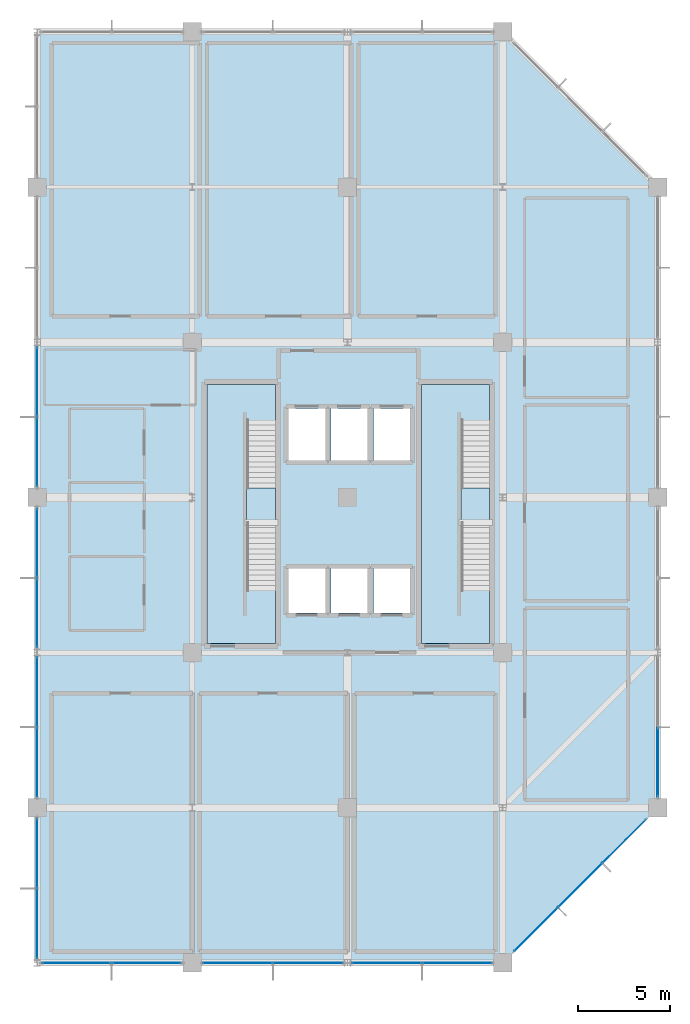
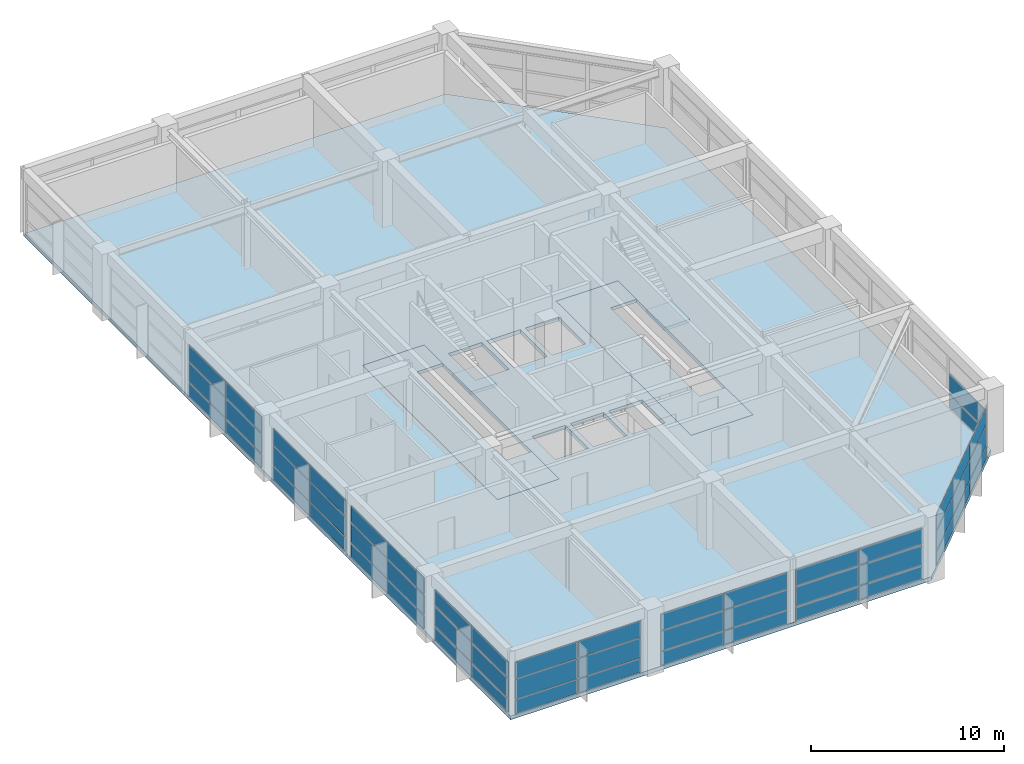
# One storey, part 10 of 15: 53 plates, 5 slabs, 11 elements without a shape of their own.
"""IFC4 building model written with IfcOpenShell, lengths in metres."""

from ifc_helpers import new_model, si_unit, direction, frame, origin, origin_2d, place, context, subcontext, project, spatial, polyline, rectangle, outline, extrude, material, layer, layer_set, type_object, element, aggregate, save


model = new_model("IFC4")

# Units and contexts
model_context = context("Model", 3, precision=1e-05, world=origin(), true_north=direction((0.0, 1.0)))
body_context = subcontext(model_context, "Body", "Model", "MODEL_VIEW")
ifc_project = project(units=[si_unit("LENGTHUNIT", "METRE"), si_unit("AREAUNIT", "SQUARE_METRE"), si_unit("VOLUMEUNIT", "CUBIC_METRE"), si_unit("PLANEANGLEUNIT", "RADIAN"), si_unit("MASSUNIT", "GRAM", prefix="KILO")], contexts=[model_context])

# Site, building, storey
site_placement = place(None, origin())
site = spatial("IfcSite", under=ifc_project, at=site_placement, CompositionType="ELEMENT")
building_placement = place(site_placement, origin())
building = spatial("IfcBuilding", under=site, at=building_placement, Name="Xuanlan Plaza Opera House", CompositionType="ELEMENT")
storey_placement = place(building_placement, frame((0.0, 0.0, 53.10009765625)))
storey = spatial("IfcBuildingStorey", under=building, at=storey_placement, Name="L12", CompositionType="ELEMENT", Elevation=53.10009765625)

# Curtain wall, plates
ifc_material_1 = material(Name="Anodised Aluminium 6063-T6 and Low-E Glass", Category="aluminium")
curtain_wall_type_1 = type_object("IfcCurtainWallType", Name="ENV-CW-CW-02", PredefinedType="USERDEFINED", material=ifc_material_1)
curtain_wall_1_placement = place(storey_placement, origin())
curtain_wall_1 = element("IfcCurtainWall", 1, at=curtain_wall_1_placement, inside=storey, type_object=curtain_wall_type_1, Name="Unitised Curtain Wall L12-004", ObjectType="UNITISED CURTAIN WALL", PredefinedType="USERDEFINED")
ifc_material_2 = material(Name="Laminated Acoustic Double Glazing", Category="glass")
ifc_layer_1 = layer(ifc_material_2, 0.028076171875)
ifc_layer_set_1 = layer_set([ifc_layer_1], Name="Laminated Acoustic Double Glazing")
plate_type_1 = type_object("IfcPlateType", Name="ENV-CWP-01", PredefinedType="CURTAIN_PANEL", material=ifc_layer_set_1)
plate_1_placement = place(storey_placement, frame((153.0126953125, 35.41259765625, 0.06982421875), z_axis=(0.0, 0.0, 1.0), x_axis=(0.707106781187, 0.707106781187, 0.0)))
plate_1 = element("IfcPlate", 2, at=plate_1_placement, type_object=plate_type_1, Name="CW-02 panel 1.1", PredefinedType="CURTAIN_PANEL", context=body_context, shape_type="SweptSolid", body=[
    extrude(rectangle(XDim=3.282470703125, YDim=0.028076171875, at=origin_2d()), origin(), (0.0, 0.0, 1.0), 0.844970703125),
])
plate_2_placement = place(storey_placement, frame((153.0126953125, 35.41259765625, 0.98486328125), z_axis=(0.0, 0.0, 1.0), x_axis=(0.707106781187, 0.707106781187, 0.0)))
plate_2 = element("IfcPlate", 3, at=plate_2_placement, type_object=plate_type_1, Name="CW-02 panel 1.2", PredefinedType="CURTAIN_PANEL", context=body_context, shape_type="SweptSolid", body=[
    extrude(rectangle(XDim=3.282470703125, YDim=0.028076171875, at=origin_2d()), origin(), (0.0, 0.0, 1.0), 1.22998046875),
])
plate_3_placement = place(storey_placement, frame((153.0126953125, 35.41259765625, 2.284912109375), z_axis=(0.0, 0.0, 1.0), x_axis=(0.707106781187, 0.707106781187, 0.0)))
plate_3 = element("IfcPlate", 4, at=plate_3_placement, type_object=plate_type_1, Name="CW-02 panel 1.3", PredefinedType="CURTAIN_PANEL", context=body_context, shape_type="SweptSolid", body=[
    extrude(rectangle(XDim=3.282470703125, YDim=0.028076171875, at=origin_2d()), origin(), (0.0, 0.0, 1.0), 1.02490234375),
])
plate_4_placement = place(storey_placement, frame((155.39990234375, 37.800048828125, 0.06982421875), z_axis=(0.0, 0.0, 1.0), x_axis=(0.707106781187, 0.707106781187, 0.0)))
plate_4 = element("IfcPlate", 5, at=plate_4_placement, type_object=plate_type_1, Name="CW-02 panel 2.1", PredefinedType="CURTAIN_PANEL", context=body_context, shape_type="SweptSolid", body=[
    extrude(rectangle(XDim=3.320068359375, YDim=0.028076171875, at=origin_2d()), origin(), (0.0, 0.0, 1.0), 0.844970703125),
])
plate_5_placement = place(storey_placement, frame((155.39990234375, 37.800048828125, 0.98486328125), z_axis=(0.0, 0.0, 1.0), x_axis=(0.707106781187, 0.707106781187, 0.0)))
plate_5 = element("IfcPlate", 6, at=plate_5_placement, type_object=plate_type_1, Name="CW-02 panel 2.2", PredefinedType="CURTAIN_PANEL", context=body_context, shape_type="SweptSolid", body=[
    extrude(rectangle(XDim=3.320068359375, YDim=0.028076171875, at=origin_2d()), origin(), (0.0, 0.0, 1.0), 1.22998046875),
])
plate_6_placement = place(storey_placement, frame((155.39990234375, 37.800048828125, 2.284912109375), z_axis=(0.0, 0.0, 1.0), x_axis=(0.707106781187, 0.707106781187, 0.0)))
plate_6 = element("IfcPlate", 7, at=plate_6_placement, type_object=plate_type_1, Name="CW-02 panel 2.3", PredefinedType="CURTAIN_PANEL", context=body_context, shape_type="SweptSolid", body=[
    extrude(rectangle(XDim=3.320068359375, YDim=0.028076171875, at=origin_2d()), origin(), (0.0, 0.0, 1.0), 1.02490234375),
])
plate_7_placement = place(storey_placement, frame((157.787353515625, 40.1875, 0.06982421875), z_axis=(0.0, 0.0, 1.0), x_axis=(0.707106781187, 0.707106781187, 0.0)))
plate_7 = element("IfcPlate", 8, at=plate_7_placement, type_object=plate_type_1, Name="CW-02 panel 3.1", PredefinedType="CURTAIN_PANEL", context=body_context, shape_type="SweptSolid", body=[
    extrude(rectangle(XDim=3.282470703125, YDim=0.028076171875, at=origin_2d()), origin(), (0.0, 0.0, 1.0), 0.844970703125),
])
plate_8_placement = place(storey_placement, frame((157.787353515625, 40.1875, 0.98486328125), z_axis=(0.0, 0.0, 1.0), x_axis=(0.707106781187, 0.707106781187, 0.0)))
plate_8 = element("IfcPlate", 9, at=plate_8_placement, type_object=plate_type_1, Name="CW-02 panel 3.2", PredefinedType="CURTAIN_PANEL", context=body_context, shape_type="SweptSolid", body=[
    extrude(rectangle(XDim=3.282470703125, YDim=0.028076171875, at=origin_2d()), origin(), (0.0, 0.0, 1.0), 1.22998046875),
])
plate_9_placement = place(storey_placement, frame((157.787353515625, 40.1875, 2.284912109375), z_axis=(0.0, 0.0, 1.0), x_axis=(0.707106781187, 0.707106781187, 0.0)))
plate_9 = element("IfcPlate", 10, at=plate_9_placement, type_object=plate_type_1, Name="CW-02 panel 3.3", PredefinedType="CURTAIN_PANEL", context=body_context, shape_type="SweptSolid", body=[
    extrude(rectangle(XDim=3.282470703125, YDim=0.028076171875, at=origin_2d()), origin(), (0.0, 0.0, 1.0), 1.02490234375),
])
aggregate(curtain_wall_1, [plate_1, plate_2, plate_3, plate_4, plate_5, plate_6, plate_7, plate_8, plate_9])

curtain_wall_type_2 = type_object("IfcCurtainWallType", Name="ENV-CW-CW-03", PredefinedType="USERDEFINED", material=ifc_material_1)
curtain_wall_2_placement = place(storey_placement, origin())
curtain_wall_2 = element("IfcCurtainWall", 11, at=curtain_wall_2_placement, inside=storey, type_object=curtain_wall_type_2, Name="Unitised Curtain Wall L12-001", ObjectType="UNITISED CURTAIN WALL", PredefinedType="USERDEFINED")
ifc_layer_2 = layer(ifc_material_2, 0.031982421875)
ifc_layer_set_2 = layer_set([ifc_layer_2], Name="Laminated Acoustic Double Glazing")
plate_type_2 = type_object("IfcPlateType", Name="ENV-CWP-02", PredefinedType="CURTAIN_PANEL", material=ifc_layer_set_2)
plate_10_placement = place(storey_placement, frame((128.138671875, 33.60009765625, 0.06494140625), z_axis=(0.0, 0.0, 1.0), x_axis=(1.0, 0.0, 0.0)))
plate_10 = element("IfcPlate", 12, at=plate_10_placement, type_object=plate_type_2, Name="CW-03 panel 1.1", PredefinedType="CURTAIN_PANEL", context=body_context, shape_type="SweptSolid", body=[
    extrude(rectangle(XDim=3.70751953125, YDim=0.031982421875, at=origin_2d()), origin(), (0.0, 0.0, 1.0), 0.8525390625),
])
plate_11_placement = place(storey_placement, frame((128.138671875, 33.60009765625, 0.982421875), z_axis=(0.0, 0.0, 1.0), x_axis=(1.0, 0.0, 0.0)))
plate_11 = element("IfcPlate", 13, at=plate_11_placement, type_object=plate_type_2, Name="CW-03 panel 1.2", PredefinedType="CURTAIN_PANEL", context=body_context, shape_type="SweptSolid", body=[
    extrude(rectangle(XDim=3.70751953125, YDim=0.031982421875, at=origin_2d()), origin(), (0.0, 0.0, 1.0), 1.235107421875),
])
plate_12_placement = place(storey_placement, frame((128.138671875, 33.60009765625, 2.2822265625), z_axis=(0.0, 0.0, 1.0), x_axis=(1.0, 0.0, 0.0)))
plate_12 = element("IfcPlate", 14, at=plate_12_placement, type_object=plate_type_2, Name="CW-03 panel 1.3", PredefinedType="CURTAIN_PANEL", context=body_context, shape_type="SweptSolid", body=[
    extrude(rectangle(XDim=3.70751953125, YDim=0.031982421875, at=origin_2d()), origin(), (0.0, 0.0, 1.0), 1.032470703125),
])
plate_13_placement = place(storey_placement, frame((131.936279296875, 33.60009765625, 0.06494140625), z_axis=(0.0, 0.0, 1.0), x_axis=(1.0, 0.0, 0.0)))
plate_13 = element("IfcPlate", 15, at=plate_13_placement, type_object=plate_type_2, Name="CW-03 panel 2.1", PredefinedType="CURTAIN_PANEL", context=body_context, shape_type="SweptSolid", body=[
    extrude(rectangle(XDim=3.70751953125, YDim=0.031982421875, at=origin_2d()), origin(), (0.0, 0.0, 1.0), 0.8525390625),
])
plate_14_placement = place(storey_placement, frame((131.936279296875, 33.60009765625, 0.982421875), z_axis=(0.0, 0.0, 1.0), x_axis=(1.0, 0.0, 0.0)))
plate_14 = element("IfcPlate", 16, at=plate_14_placement, type_object=plate_type_2, Name="CW-03 panel 2.2", PredefinedType="CURTAIN_PANEL", context=body_context, shape_type="SweptSolid", body=[
    extrude(rectangle(XDim=3.70751953125, YDim=0.031982421875, at=origin_2d()), origin(), (0.0, 0.0, 1.0), 1.235107421875),
])
plate_15_placement = place(storey_placement, frame((131.936279296875, 33.60009765625, 2.2822265625), z_axis=(0.0, 0.0, 1.0), x_axis=(1.0, 0.0, 0.0)))
plate_15 = element("IfcPlate", 17, at=plate_15_placement, type_object=plate_type_2, Name="CW-03 panel 2.3", PredefinedType="CURTAIN_PANEL", context=body_context, shape_type="SweptSolid", body=[
    extrude(rectangle(XDim=3.70751953125, YDim=0.031982421875, at=origin_2d()), origin(), (0.0, 0.0, 1.0), 1.032470703125),
])
aggregate(curtain_wall_2, [plate_10, plate_11, plate_12, plate_13, plate_14, plate_15])

curtain_wall_3_placement = place(storey_placement, origin())
curtain_wall_3 = element("IfcCurtainWall", 18, at=curtain_wall_3_placement, inside=storey, type_object=curtain_wall_type_1, Name="Unitised Curtain Wall L12-016", ObjectType="UNITISED CURTAIN WALL", PredefinedType="USERDEFINED")
plate_16_placement = place(storey_placement, frame((126.0, 56.336181640625, 0.06494140625), z_axis=(0.0, 0.0, 1.0), x_axis=(0.0, -1.0, 0.0)))
plate_16 = element("IfcPlate", 19, at=plate_16_placement, type_object=plate_type_2, Name="CW-02 panel 1.1", PredefinedType="CURTAIN_PANEL", context=body_context, shape_type="SweptSolid", body=[
    extrude(rectangle(XDim=3.70751953125, YDim=0.031982421875, at=origin_2d()), origin(), (0.0, 0.0, 1.0), 0.8525390625),
])
plate_17_placement = place(storey_placement, frame((126.0, 56.336181640625, 0.982421875), z_axis=(0.0, 0.0, 1.0), x_axis=(0.0, -1.0, 0.0)))
plate_17 = element("IfcPlate", 20, at=plate_17_placement, type_object=plate_type_2, Name="CW-02 panel 1.2", PredefinedType="CURTAIN_PANEL", context=body_context, shape_type="SweptSolid", body=[
    extrude(rectangle(XDim=3.70751953125, YDim=0.031982421875, at=origin_2d()), origin(), (0.0, 0.0, 1.0), 1.235107421875),
])
plate_18_placement = place(storey_placement, frame((126.0, 56.336181640625, 2.2822265625), z_axis=(0.0, 0.0, 1.0), x_axis=(0.0, -1.0, 0.0)))
plate_18 = element("IfcPlate", 21, at=plate_18_placement, type_object=plate_type_2, Name="CW-02 panel 1.3", PredefinedType="CURTAIN_PANEL", context=body_context, shape_type="SweptSolid", body=[
    extrude(rectangle(XDim=3.70751953125, YDim=0.031982421875, at=origin_2d()), origin(), (0.0, 0.0, 1.0), 1.032470703125),
])
plate_19_placement = place(storey_placement, frame((126.0, 52.538818359375, 0.06494140625), z_axis=(0.0, 0.0, 1.0), x_axis=(0.0, -1.0, 0.0)))
plate_19 = element("IfcPlate", 22, at=plate_19_placement, type_object=plate_type_2, Name="CW-02 panel 2.1", PredefinedType="CURTAIN_PANEL", context=body_context, shape_type="SweptSolid", body=[
    extrude(rectangle(XDim=3.70751953125, YDim=0.031982421875, at=origin_2d()), origin(), (0.0, 0.0, 1.0), 0.8525390625),
])
plate_20_placement = place(storey_placement, frame((126.0, 52.538818359375, 0.982421875), z_axis=(0.0, 0.0, 1.0), x_axis=(0.0, -1.0, 0.0)))
plate_20 = element("IfcPlate", 23, at=plate_20_placement, type_object=plate_type_2, Name="CW-02 panel 2.2", PredefinedType="CURTAIN_PANEL", context=body_context, shape_type="SweptSolid", body=[
    extrude(rectangle(XDim=3.70751953125, YDim=0.031982421875, at=origin_2d()), origin(), (0.0, 0.0, 1.0), 1.235107421875),
])
plate_21_placement = place(storey_placement, frame((126.0, 52.538818359375, 2.2822265625), z_axis=(0.0, 0.0, 1.0), x_axis=(0.0, -1.0, 0.0)))
plate_21 = element("IfcPlate", 24, at=plate_21_placement, type_object=plate_type_2, Name="CW-02 panel 2.3", PredefinedType="CURTAIN_PANEL", context=body_context, shape_type="SweptSolid", body=[
    extrude(rectangle(XDim=3.70751953125, YDim=0.031982421875, at=origin_2d()), origin(), (0.0, 0.0, 1.0), 1.032470703125),
])
aggregate(curtain_wall_3, [plate_16, plate_17, plate_18, plate_19, plate_20, plate_21])

curtain_wall_type_3 = type_object("IfcCurtainWallType", Name="ENV-CW-CW-01", PredefinedType="USERDEFINED", material=ifc_material_1)
curtain_wall_4_placement = place(storey_placement, origin())
curtain_wall_4 = element("IfcCurtainWall", 25, at=curtain_wall_4_placement, inside=storey, type_object=curtain_wall_type_3, Name="Unitised Curtain Wall L12-003", ObjectType="UNITISED CURTAIN WALL", PredefinedType="USERDEFINED")
ifc_layer_3 = layer(ifc_material_2, 0.035888671875)
ifc_layer_set_3 = layer_set([ifc_layer_3], Name="Laminated Acoustic Double Glazing")
plate_type_3 = type_object("IfcPlateType", Name="ENV-CWP-03", PredefinedType="CURTAIN_PANEL", material=ifc_layer_set_3)
plate_22_placement = place(storey_placement, frame((144.933837890625, 33.60009765625, 0.08984375), z_axis=(0.0, 0.0, 1.0), x_axis=(1.0, 0.0, 0.0)))
plate_22 = element("IfcPlate", 26, at=plate_22_placement, type_object=plate_type_3, Name="CW-01 panel 1.1", PredefinedType="CURTAIN_PANEL", context=body_context, shape_type="SweptSolid", body=[
    extrude(rectangle(XDim=3.737548828125, YDim=0.035888671875, at=origin_2d()), origin(), (0.0, 0.0, 1.0), 0.81494140625),
])
plate_23_placement = place(storey_placement, frame((144.933837890625, 33.60009765625, 0.994873046875), z_axis=(0.0, 0.0, 1.0), x_axis=(1.0, 0.0, 0.0)))
plate_23 = element("IfcPlate", 27, at=plate_23_placement, type_object=plate_type_3, Name="CW-01 panel 1.2", PredefinedType="CURTAIN_PANEL", context=body_context, shape_type="SweptSolid", body=[
    extrude(rectangle(XDim=3.737548828125, YDim=0.035888671875, at=origin_2d()), origin(), (0.0, 0.0, 1.0), 1.2099609375),
])
plate_24_placement = place(storey_placement, frame((144.933837890625, 33.60009765625, 2.294921875), z_axis=(0.0, 0.0, 1.0), x_axis=(1.0, 0.0, 0.0)))
plate_24 = element("IfcPlate", 28, at=plate_24_placement, type_object=plate_type_3, Name="CW-01 panel 1.3", PredefinedType="CURTAIN_PANEL", context=body_context, shape_type="SweptSolid", body=[
    extrude(rectangle(XDim=3.737548828125, YDim=0.035888671875, at=origin_2d()), origin(), (0.0, 0.0, 1.0), 0.9951171875),
])
plate_25_placement = place(storey_placement, frame((148.7412109375, 33.60009765625, 0.08984375), z_axis=(0.0, 0.0, 1.0), x_axis=(1.0, 0.0, 0.0)))
plate_25 = element("IfcPlate", 29, at=plate_25_placement, type_object=plate_type_3, Name="CW-01 panel 2.1", PredefinedType="CURTAIN_PANEL", context=body_context, shape_type="SweptSolid", body=[
    extrude(rectangle(XDim=3.737548828125, YDim=0.035888671875, at=origin_2d()), origin(), (0.0, 0.0, 1.0), 0.81494140625),
])
plate_26_placement = place(storey_placement, frame((148.7412109375, 33.60009765625, 0.994873046875), z_axis=(0.0, 0.0, 1.0), x_axis=(1.0, 0.0, 0.0)))
plate_26 = element("IfcPlate", 30, at=plate_26_placement, type_object=plate_type_3, Name="CW-01 panel 2.2", PredefinedType="CURTAIN_PANEL", context=body_context, shape_type="SweptSolid", body=[
    extrude(rectangle(XDim=3.737548828125, YDim=0.035888671875, at=origin_2d()), origin(), (0.0, 0.0, 1.0), 1.2099609375),
])
plate_27_placement = place(storey_placement, frame((148.7412109375, 33.60009765625, 2.294921875), z_axis=(0.0, 0.0, 1.0), x_axis=(1.0, 0.0, 0.0)))
plate_27 = element("IfcPlate", 31, at=plate_27_placement, type_object=plate_type_3, Name="CW-01 panel 2.3", PredefinedType="CURTAIN_PANEL", context=body_context, shape_type="SweptSolid", body=[
    extrude(rectangle(XDim=3.737548828125, YDim=0.035888671875, at=origin_2d()), origin(), (0.0, 0.0, 1.0), 0.9951171875),
])
aggregate(curtain_wall_4, [plate_22, plate_23, plate_24, plate_25, plate_26, plate_27])

curtain_wall_type_4 = type_object("IfcCurtainWallType", Name="ENV-CW-CW-04", PredefinedType="USERDEFINED", material=ifc_material_1)
curtain_wall_5_placement = place(storey_placement, origin())
curtain_wall_5 = element("IfcCurtainWall", 32, at=curtain_wall_5_placement, inside=storey, type_object=curtain_wall_type_4, Name="Unitised Curtain Wall L12-018", ObjectType="UNITISED CURTAIN WALL", PredefinedType="USERDEFINED")
plate_28_placement = place(storey_placement, frame((126.0, 39.541259765625, 0.08984375), z_axis=(0.0, 0.0, 1.0), x_axis=(0.0, -1.0, 0.0)))
plate_28 = element("IfcPlate", 33, at=plate_28_placement, type_object=plate_type_3, Name="CW-04 panel 1.1", PredefinedType="CURTAIN_PANEL", context=body_context, shape_type="SweptSolid", body=[
    extrude(rectangle(XDim=3.737548828125, YDim=0.035888671875, at=origin_2d()), origin(), (0.0, 0.0, 1.0), 0.81494140625),
])
plate_29_placement = place(storey_placement, frame((126.0, 39.541259765625, 0.994873046875), z_axis=(0.0, 0.0, 1.0), x_axis=(0.0, -1.0, 0.0)))
plate_29 = element("IfcPlate", 34, at=plate_29_placement, type_object=plate_type_3, Name="CW-04 panel 1.2", PredefinedType="CURTAIN_PANEL", context=body_context, shape_type="SweptSolid", body=[
    extrude(rectangle(XDim=3.737548828125, YDim=0.035888671875, at=origin_2d()), origin(), (0.0, 0.0, 1.0), 1.2099609375),
])
plate_30_placement = place(storey_placement, frame((126.0, 39.541259765625, 2.294921875), z_axis=(0.0, 0.0, 1.0), x_axis=(0.0, -1.0, 0.0)))
plate_30 = element("IfcPlate", 35, at=plate_30_placement, type_object=plate_type_3, Name="CW-04 panel 1.3", PredefinedType="CURTAIN_PANEL", context=body_context, shape_type="SweptSolid", body=[
    extrude(rectangle(XDim=3.737548828125, YDim=0.035888671875, at=origin_2d()), origin(), (0.0, 0.0, 1.0), 0.9951171875),
])
plate_31_placement = place(storey_placement, frame((126.0, 35.733642578125, 0.08984375), z_axis=(0.0, 0.0, 1.0), x_axis=(0.0, -1.0, 0.0)))
plate_31 = element("IfcPlate", 36, at=plate_31_placement, type_object=plate_type_3, Name="CW-04 panel 2.1", PredefinedType="CURTAIN_PANEL", context=body_context, shape_type="SweptSolid", body=[
    extrude(rectangle(XDim=3.737548828125, YDim=0.035888671875, at=origin_2d()), origin(), (0.0, 0.0, 1.0), 0.81494140625),
])
plate_32_placement = place(storey_placement, frame((126.0, 35.733642578125, 0.994873046875), z_axis=(0.0, 0.0, 1.0), x_axis=(0.0, -1.0, 0.0)))
plate_32 = element("IfcPlate", 37, at=plate_32_placement, type_object=plate_type_3, Name="CW-04 panel 2.2", PredefinedType="CURTAIN_PANEL", context=body_context, shape_type="SweptSolid", body=[
    extrude(rectangle(XDim=3.737548828125, YDim=0.035888671875, at=origin_2d()), origin(), (0.0, 0.0, 1.0), 1.2099609375),
])
plate_33_placement = place(storey_placement, frame((126.0, 35.733642578125, 2.294921875), z_axis=(0.0, 0.0, 1.0), x_axis=(0.0, -1.0, 0.0)))
plate_33 = element("IfcPlate", 38, at=plate_33_placement, type_object=plate_type_3, Name="CW-04 panel 2.3", PredefinedType="CURTAIN_PANEL", context=body_context, shape_type="SweptSolid", body=[
    extrude(rectangle(XDim=3.737548828125, YDim=0.035888671875, at=origin_2d()), origin(), (0.0, 0.0, 1.0), 0.9951171875),
])
aggregate(curtain_wall_5, [plate_28, plate_29, plate_30, plate_31, plate_32, plate_33])

curtain_wall_6_placement = place(storey_placement, origin())
curtain_wall_6 = element("IfcCurtainWall", 39, at=curtain_wall_6_placement, inside=storey, type_object=curtain_wall_type_2, Name="Unitised Curtain Wall L12-005", ObjectType="UNITISED CURTAIN WALL", PredefinedType="USERDEFINED")
ifc_layer_4 = layer(ifc_material_2, 0.0400390625)
ifc_layer_set_4 = layer_set([ifc_layer_4], Name="Laminated Acoustic Double Glazing")
plate_type_4 = type_object("IfcPlateType", Name="ENV-CWP-04", PredefinedType="CURTAIN_PANEL", material=ifc_layer_set_4)
plate_34_placement = place(storey_placement, frame((159.60009765625, 44.461181640625, 0.079833984375), z_axis=(0.0, 0.0, 1.0), x_axis=(0.0, 1.0, 0.0)))
plate_34 = element("IfcPlate", 40, at=plate_34_placement, type_object=plate_type_4, Name="CW-03 panel 1.1", PredefinedType="CURTAIN_PANEL", context=body_context, shape_type="SweptSolid", body=[
    extrude(rectangle(XDim=3.722412109375, YDim=0.0400390625, at=origin_2d()), origin(), (0.0, 0.0, 1.0), 0.830078125),
])
plate_35_placement = place(storey_placement, frame((159.60009765625, 44.461181640625, 0.98974609375), z_axis=(0.0, 0.0, 1.0), x_axis=(0.0, 1.0, 0.0)))
plate_35 = element("IfcPlate", 41, at=plate_35_placement, type_object=plate_type_4, Name="CW-03 panel 1.2", PredefinedType="CURTAIN_PANEL", context=body_context, shape_type="SweptSolid", body=[
    extrude(rectangle(XDim=3.722412109375, YDim=0.0400390625, at=origin_2d()), origin(), (0.0, 0.0, 1.0), 1.219970703125),
])
aggregate(curtain_wall_6, [plate_34, plate_35])

curtain_wall_7_placement = place(storey_placement, origin())
curtain_wall_7 = element("IfcCurtainWall", 42, at=curtain_wall_7_placement, inside=storey, type_object=curtain_wall_type_3, Name="Unitised Curtain Wall L12-015", ObjectType="UNITISED CURTAIN WALL", PredefinedType="USERDEFINED")
plate_36_placement = place(storey_placement, frame((126.0, 65.063720703125, 0.079833984375), z_axis=(0.0, 0.0, 1.0), x_axis=(0.0, -1.0, 0.0)))
plate_36 = element("IfcPlate", 43, at=plate_36_placement, type_object=plate_type_4, Name="CW-01 panel 1.1", PredefinedType="CURTAIN_PANEL", context=body_context, shape_type="SweptSolid", body=[
    extrude(rectangle(XDim=3.722412109375, YDim=0.0400390625, at=origin_2d()), origin(), (0.0, 0.0, 1.0), 0.830078125),
])
plate_37_placement = place(storey_placement, frame((126.0, 65.063720703125, 0.98974609375), z_axis=(0.0, 0.0, 1.0), x_axis=(0.0, -1.0, 0.0)))
plate_37 = element("IfcPlate", 44, at=plate_37_placement, type_object=plate_type_4, Name="CW-01 panel 1.2", PredefinedType="CURTAIN_PANEL", context=body_context, shape_type="SweptSolid", body=[
    extrude(rectangle(XDim=3.722412109375, YDim=0.0400390625, at=origin_2d()), origin(), (0.0, 0.0, 1.0), 1.219970703125),
])
plate_38_placement = place(storey_placement, frame((126.0, 65.063720703125, 2.2900390625), z_axis=(0.0, 0.0, 1.0), x_axis=(0.0, -1.0, 0.0)))
plate_38 = element("IfcPlate", 45, at=plate_38_placement, type_object=plate_type_4, Name="CW-01 panel 1.3", PredefinedType="CURTAIN_PANEL", context=body_context, shape_type="SweptSolid", body=[
    extrude(rectangle(XDim=3.722412109375, YDim=0.0400390625, at=origin_2d()), origin(), (0.0, 0.0, 1.0), 1.010009765625),
])
plate_39_placement = place(storey_placement, frame((126.0, 61.26123046875, 0.079833984375), z_axis=(0.0, 0.0, 1.0), x_axis=(0.0, -1.0, 0.0)))
plate_39 = element("IfcPlate", 46, at=plate_39_placement, type_object=plate_type_4, Name="CW-01 panel 2.1", PredefinedType="CURTAIN_PANEL", context=body_context, shape_type="SweptSolid", body=[
    extrude(rectangle(XDim=3.722412109375, YDim=0.0400390625, at=origin_2d()), origin(), (0.0, 0.0, 1.0), 0.830078125),
])
plate_40_placement = place(storey_placement, frame((126.0, 61.26123046875, 0.98974609375), z_axis=(0.0, 0.0, 1.0), x_axis=(0.0, -1.0, 0.0)))
plate_40 = element("IfcPlate", 47, at=plate_40_placement, type_object=plate_type_4, Name="CW-01 panel 2.2", PredefinedType="CURTAIN_PANEL", context=body_context, shape_type="SweptSolid", body=[
    extrude(rectangle(XDim=3.722412109375, YDim=0.0400390625, at=origin_2d()), origin(), (0.0, 0.0, 1.0), 1.219970703125),
])
plate_41_placement = place(storey_placement, frame((126.0, 61.26123046875, 2.2900390625), z_axis=(0.0, 0.0, 1.0), x_axis=(0.0, -1.0, 0.0)))
plate_41 = element("IfcPlate", 48, at=plate_41_placement, type_object=plate_type_4, Name="CW-01 panel 2.3", PredefinedType="CURTAIN_PANEL", context=body_context, shape_type="SweptSolid", body=[
    extrude(rectangle(XDim=3.722412109375, YDim=0.0400390625, at=origin_2d()), origin(), (0.0, 0.0, 1.0), 1.010009765625),
])
aggregate(curtain_wall_7, [plate_36, plate_37, plate_38, plate_39, plate_40, plate_41])

curtain_wall_8_placement = place(storey_placement, origin())
curtain_wall_8 = element("IfcCurtainWall", 49, at=curtain_wall_8_placement, inside=storey, type_object=curtain_wall_type_4, Name="Unitised Curtain Wall L12-002", ObjectType="UNITISED CURTAIN WALL", PredefinedType="USERDEFINED")
ifc_layer_5 = layer(ifc_material_2, 0.0439453125)
ifc_layer_set_5 = layer_set([ifc_layer_5], Name="Laminated Acoustic Double Glazing")
plate_type_5 = type_object("IfcPlateType", Name="ENV-CWP-05", PredefinedType="CURTAIN_PANEL", material=ifc_layer_set_5)
plate_42_placement = place(storey_placement, frame((136.857421875, 33.60009765625, 0.074951171875), z_axis=(0.0, 0.0, 1.0), x_axis=(1.0, 0.0, 0.0)))
plate_42 = element("IfcPlate", 50, at=plate_42_placement, type_object=plate_type_5, Name="CW-04 panel 1.1", PredefinedType="CURTAIN_PANEL", context=body_context, shape_type="SweptSolid", body=[
    extrude(rectangle(XDim=3.7451171875, YDim=0.0439453125, at=origin_2d()), origin(), (0.0, 0.0, 1.0), 0.83740234375),
])
plate_43_placement = place(storey_placement, frame((136.857421875, 33.60009765625, 0.9873046875), z_axis=(0.0, 0.0, 1.0), x_axis=(1.0, 0.0, 0.0)))
plate_43 = element("IfcPlate", 51, at=plate_43_placement, type_object=plate_type_5, Name="CW-04 panel 1.2", PredefinedType="CURTAIN_PANEL", context=body_context, shape_type="SweptSolid", body=[
    extrude(rectangle(XDim=3.7451171875, YDim=0.0439453125, at=origin_2d()), origin(), (0.0, 0.0, 1.0), 1.22509765625),
])
plate_44_placement = place(storey_placement, frame((136.857421875, 33.60009765625, 2.287353515625), z_axis=(0.0, 0.0, 1.0), x_axis=(1.0, 0.0, 0.0)))
plate_44 = element("IfcPlate", 52, at=plate_44_placement, type_object=plate_type_5, Name="CW-04 panel 1.3", PredefinedType="CURTAIN_PANEL", context=body_context, shape_type="SweptSolid", body=[
    extrude(rectangle(XDim=3.7451171875, YDim=0.0439453125, at=origin_2d()), origin(), (0.0, 0.0, 1.0), 1.017578125),
])
plate_45_placement = place(storey_placement, frame((140.66748046875, 33.60009765625, 0.074951171875), z_axis=(0.0, 0.0, 1.0), x_axis=(1.0, 0.0, 0.0)))
plate_45 = element("IfcPlate", 53, at=plate_45_placement, type_object=plate_type_5, Name="CW-04 panel 2.1", PredefinedType="CURTAIN_PANEL", context=body_context, shape_type="SweptSolid", body=[
    extrude(rectangle(XDim=3.7451171875, YDim=0.0439453125, at=origin_2d()), origin(), (0.0, 0.0, 1.0), 0.83740234375),
])
plate_46_placement = place(storey_placement, frame((140.66748046875, 33.60009765625, 0.9873046875), z_axis=(0.0, 0.0, 1.0), x_axis=(1.0, 0.0, 0.0)))
plate_46 = element("IfcPlate", 54, at=plate_46_placement, type_object=plate_type_5, Name="CW-04 panel 2.2", PredefinedType="CURTAIN_PANEL", context=body_context, shape_type="SweptSolid", body=[
    extrude(rectangle(XDim=3.7451171875, YDim=0.0439453125, at=origin_2d()), origin(), (0.0, 0.0, 1.0), 1.22509765625),
])
plate_47_placement = place(storey_placement, frame((140.66748046875, 33.60009765625, 2.287353515625), z_axis=(0.0, 0.0, 1.0), x_axis=(1.0, 0.0, 0.0)))
plate_47 = element("IfcPlate", 55, at=plate_47_placement, type_object=plate_type_5, Name="CW-04 panel 2.3", PredefinedType="CURTAIN_PANEL", context=body_context, shape_type="SweptSolid", body=[
    extrude(rectangle(XDim=3.7451171875, YDim=0.0439453125, at=origin_2d()), origin(), (0.0, 0.0, 1.0), 1.017578125),
])
aggregate(curtain_wall_8, [plate_42, plate_43, plate_44, plate_45, plate_46, plate_47])

curtain_wall_9_placement = place(storey_placement, origin())
curtain_wall_9 = element("IfcCurtainWall", 56, at=curtain_wall_9_placement, inside=storey, type_object=curtain_wall_type_2, Name="Unitised Curtain Wall L12-017", ObjectType="UNITISED CURTAIN WALL", PredefinedType="USERDEFINED")
plate_48_placement = place(storey_placement, frame((126.0, 48.267578125, 0.074951171875), z_axis=(0.0, 0.0, 1.0), x_axis=(0.0, -1.0, 0.0)))
plate_48 = element("IfcPlate", 57, at=plate_48_placement, type_object=plate_type_5, Name="CW-03 panel 1.1", PredefinedType="CURTAIN_PANEL", context=body_context, shape_type="SweptSolid", body=[
    extrude(rectangle(XDim=3.7451171875, YDim=0.0439453125, at=origin_2d()), origin(), (0.0, 0.0, 1.0), 0.83740234375),
])
plate_49_placement = place(storey_placement, frame((126.0, 48.267578125, 0.9873046875), z_axis=(0.0, 0.0, 1.0), x_axis=(0.0, -1.0, 0.0)))
plate_49 = element("IfcPlate", 58, at=plate_49_placement, type_object=plate_type_5, Name="CW-03 panel 1.2", PredefinedType="CURTAIN_PANEL", context=body_context, shape_type="SweptSolid", body=[
    extrude(rectangle(XDim=3.7451171875, YDim=0.0439453125, at=origin_2d()), origin(), (0.0, 0.0, 1.0), 1.22509765625),
])
plate_50_placement = place(storey_placement, frame((126.0, 48.267578125, 2.287353515625), z_axis=(0.0, 0.0, 1.0), x_axis=(0.0, -1.0, 0.0)))
plate_50 = element("IfcPlate", 59, at=plate_50_placement, type_object=plate_type_5, Name="CW-03 panel 1.3", PredefinedType="CURTAIN_PANEL", context=body_context, shape_type="SweptSolid", body=[
    extrude(rectangle(XDim=3.7451171875, YDim=0.0439453125, at=origin_2d()), origin(), (0.0, 0.0, 1.0), 1.017578125),
])
plate_51_placement = place(storey_placement, frame((126.0, 44.45751953125, 0.074951171875), z_axis=(0.0, 0.0, 1.0), x_axis=(0.0, -1.0, 0.0)))
plate_51 = element("IfcPlate", 60, at=plate_51_placement, type_object=plate_type_5, Name="CW-03 panel 2.1", PredefinedType="CURTAIN_PANEL", context=body_context, shape_type="SweptSolid", body=[
    extrude(rectangle(XDim=3.7451171875, YDim=0.0439453125, at=origin_2d()), origin(), (0.0, 0.0, 1.0), 0.83740234375),
])
plate_52_placement = place(storey_placement, frame((126.0, 44.45751953125, 0.9873046875), z_axis=(0.0, 0.0, 1.0), x_axis=(0.0, -1.0, 0.0)))
plate_52 = element("IfcPlate", 61, at=plate_52_placement, type_object=plate_type_5, Name="CW-03 panel 2.2", PredefinedType="CURTAIN_PANEL", context=body_context, shape_type="SweptSolid", body=[
    extrude(rectangle(XDim=3.7451171875, YDim=0.0439453125, at=origin_2d()), origin(), (0.0, 0.0, 1.0), 1.22509765625),
])
plate_53_placement = place(storey_placement, frame((126.0, 44.45751953125, 2.287353515625), z_axis=(0.0, 0.0, 1.0), x_axis=(0.0, -1.0, 0.0)))
plate_53 = element("IfcPlate", 62, at=plate_53_placement, type_object=plate_type_5, Name="CW-03 panel 2.3", PredefinedType="CURTAIN_PANEL", context=body_context, shape_type="SweptSolid", body=[
    extrude(rectangle(XDim=3.7451171875, YDim=0.0439453125, at=origin_2d()), origin(), (0.0, 0.0, 1.0), 1.017578125),
])
aggregate(curtain_wall_9, [plate_48, plate_49, plate_50, plate_51, plate_52, plate_53])

# Stair, slabs
ifc_material_3 = material(Name="Concrete C40", Category="concrete")
stair_type = type_object("IfcStairType", Name="INT-ST-STR-T155", PredefinedType="STRAIGHT_RUN_STAIR", material=ifc_material_3)
stair_1_placement = place(storey_placement, origin())
stair_1 = element("IfcStair", 63, at=stair_1_placement, inside=storey, type_object=stair_type, Name="Protected Exit Stair ST-T1 L12", PredefinedType="STRAIGHT_RUN_STAIR")
ifc_layer_6 = layer(ifc_material_3, 0.199951171875)
ifc_layer_set_6 = layer_set([ifc_layer_6], Name="Concrete C40")
slab_type_1 = type_object("IfcSlabType", Name="INT-SLB-LND-20", PredefinedType="LANDING", material=ifc_layer_set_6)
slab_1_placement = place(storey_placement, frame((0.0, 0.0, 1.89990234375)))
slab_1 = element("IfcSlab", 64, at=slab_1_placement, type_object=slab_type_1, Name="ST-T1-L12 landing 1", PredefinedType="LANDING", context=body_context, shape_type="SweptSolid", body=[
    extrude(outline(polyline([(137.35009765625, 57.419921875), (138.89990234375, 57.419921875), (138.89990234375, 59.320068359375), (137.35009765625, 59.320068359375), (137.35009765625, 57.419921875)])), origin(), (0.0, 0.0, 1.0), 0.199951171875),
])
slab_2_placement = place(storey_placement, frame((0.0, 0.0, -0.2001953125)))
slab_2 = element("IfcSlab", 65, at=slab_2_placement, type_object=slab_type_1, Name="ST-T1-L12 landing 2", PredefinedType="LANDING", context=body_context, shape_type="SweptSolid", body=[
    extrude(outline(polyline([(135.199951171875, 50.89990234375), (138.89990234375, 50.89990234375), (138.89990234375, 53.764892578125), (137.35009765625, 53.764892578125), (137.35009765625, 62.97509765625), (138.89990234375, 62.97509765625), (138.89990234375, 64.89990234375), (135.199951171875, 64.89990234375), (135.199951171875, 50.89990234375)])), origin(), (0.0, 0.0, 1.0), 0.2001953125),
])
aggregate(stair_1, [slab_1, slab_2])

stair_2_placement = place(storey_placement, origin())
stair_2 = element("IfcStair", 66, at=stair_2_placement, inside=storey, type_object=stair_type, Name="Protected Exit Stair ST-T2 L12", PredefinedType="STRAIGHT_RUN_STAIR")
slab_3_placement = place(storey_placement, frame((0.0, 0.0, 1.89990234375)))
slab_3 = element("IfcSlab", 67, at=slab_3_placement, type_object=slab_type_1, Name="ST-T2-L12 landing 1", PredefinedType="LANDING", context=body_context, shape_type="SweptSolid", body=[
    extrude(outline(polyline([(148.949951171875, 57.419921875), (150.5, 57.419921875), (150.5, 59.320068359375), (148.949951171875, 59.320068359375), (148.949951171875, 57.419921875)])), origin(), (0.0, 0.0, 1.0), 0.199951171875),
])
slab_4_placement = place(storey_placement, frame((0.0, 0.0, -0.2001953125)))
slab_4 = element("IfcSlab", 68, at=slab_4_placement, type_object=slab_type_1, Name="ST-T2-L12 landing 2", PredefinedType="LANDING", context=body_context, shape_type="SweptSolid", body=[
    extrude(outline(polyline([(146.800048828125, 50.89990234375), (150.5, 50.89990234375), (150.5, 53.764892578125), (148.949951171875, 53.764892578125), (148.949951171875, 62.97509765625), (150.5, 62.97509765625), (150.5, 64.89990234375), (146.800048828125, 64.89990234375), (146.800048828125, 50.89990234375)])), origin(), (0.0, 0.0, 1.0), 0.2001953125),
])
aggregate(stair_2, [slab_3, slab_4])

# Slab
ifc_layer_7 = layer(ifc_material_3, 0.239990234375)
ifc_layer_set_7 = layer_set([ifc_layer_7], Name="Concrete C40")
slab_type_2 = type_object("IfcSlabType", Name="STR-SLB-SL-03", PredefinedType="FLOOR", material=ifc_layer_set_7)
slab_5_placement = place(storey_placement, frame((0.0, 0.0, -0.239990234375)))
element("IfcSlab", 69, at=slab_5_placement, inside=storey, type_object=slab_type_2, Name="Storey L12 Structural Floor Slab", PredefinedType="FLOOR", context=body_context, shape_type="SweptSolid", body=[
    extrude(outline(polyline([(126.0, 33.60009765625), (151.199951171875, 33.60009765625), (159.60009765625, 42.0), (159.60009765625, 75.60009765625), (151.199951171875, 84.0), (126.0, 84.0), (126.0, 33.60009765625)]), holes=[polyline([(135.199951171875, 50.89990234375), (138.89990234375, 50.89990234375), (138.89990234375, 64.89990234375), (135.199951171875, 64.89990234375), (135.199951171875, 50.89990234375)]), polyline([(146.800048828125, 50.89990234375), (150.5, 50.89990234375), (150.5, 64.89990234375), (146.800048828125, 64.89990234375), (146.800048828125, 50.89990234375)]), polyline([(139.60009765625, 60.800048828125), (141.60009765625, 60.800048828125), (141.60009765625, 63.60009765625), (139.60009765625, 63.60009765625), (139.60009765625, 60.800048828125)]), polyline([(141.89990234375, 60.800048828125), (143.89990234375, 60.800048828125), (143.89990234375, 63.60009765625), (141.89990234375, 63.60009765625), (141.89990234375, 60.800048828125)]), polyline([(144.199951171875, 60.800048828125), (146.199951171875, 60.800048828125), (146.199951171875, 63.60009765625), (144.199951171875, 63.60009765625), (144.199951171875, 60.800048828125)]), polyline([(139.60009765625, 52.550048828125), (141.60009765625, 52.550048828125), (141.60009765625, 54.949951171875), (139.60009765625, 54.949951171875), (139.60009765625, 52.550048828125)]), polyline([(141.89990234375, 52.550048828125), (143.89990234375, 52.550048828125), (143.89990234375, 54.949951171875), (141.89990234375, 54.949951171875), (141.89990234375, 52.550048828125)]), polyline([(144.199951171875, 52.550048828125), (146.199951171875, 52.550048828125), (146.199951171875, 54.949951171875), (144.199951171875, 54.949951171875), (144.199951171875, 52.550048828125)])]), origin(), (0.0, 0.0, 1.0), 0.239990234375),
])

save(model, "model.ifc")
